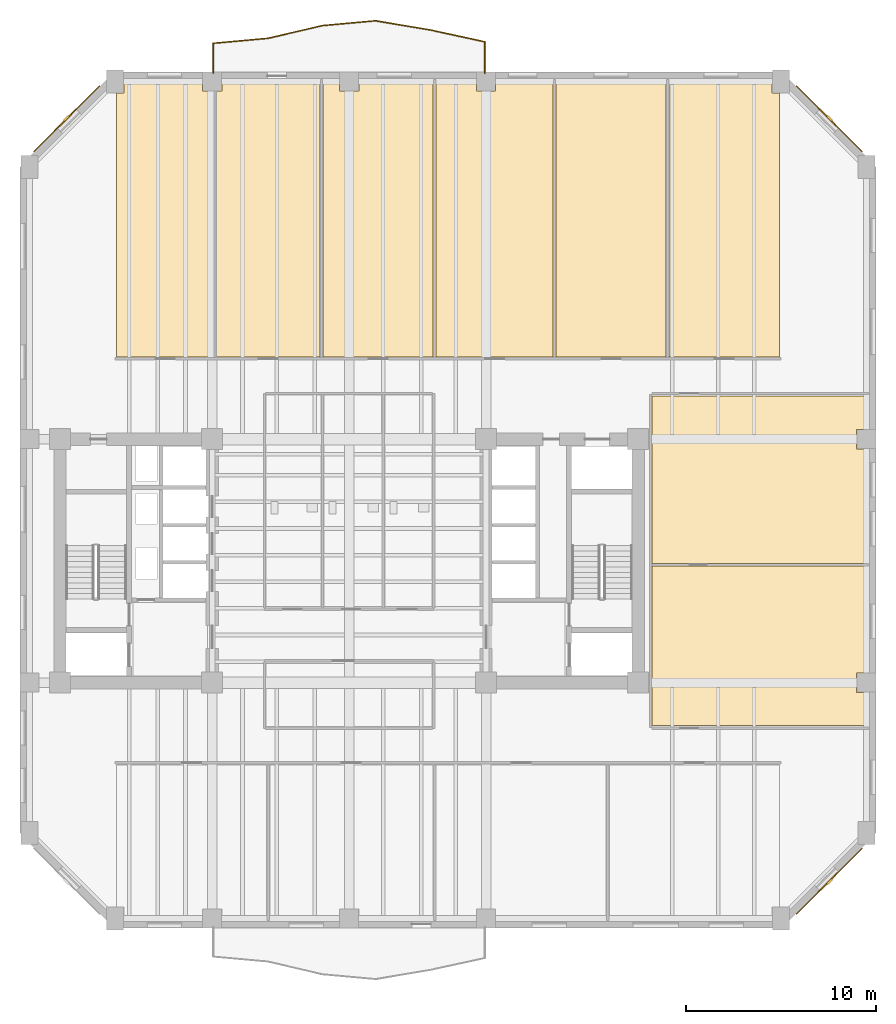
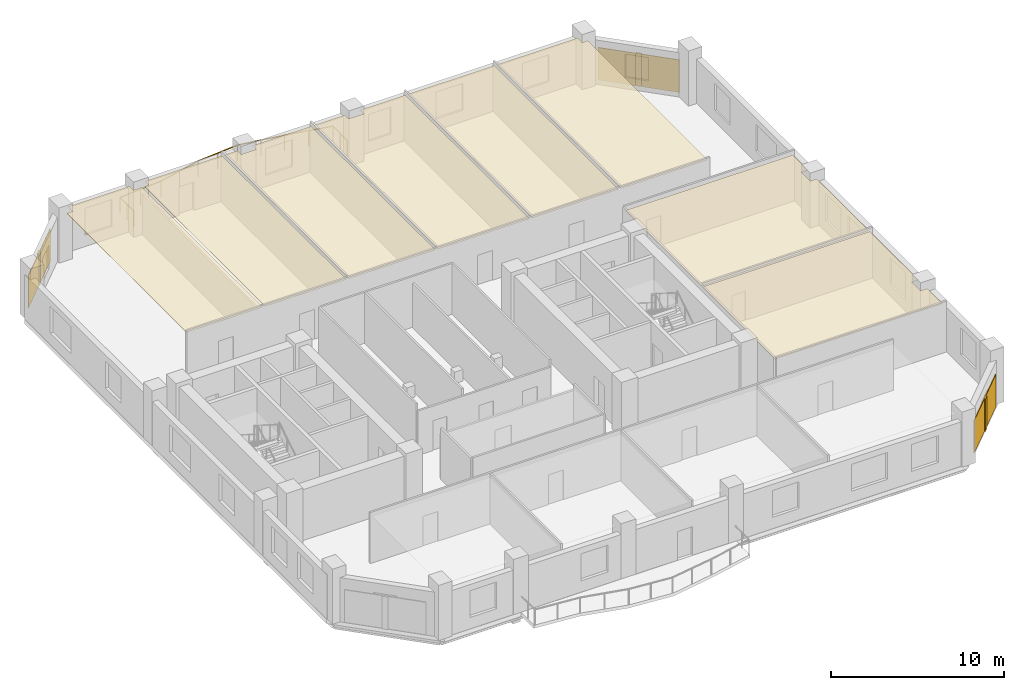
# One storey, part 8 of 9: 11 coverings, 3 shading devices, 1 railing.
"""IFC4 building model written with IfcOpenShell, lengths in metres."""

import ifcopenshell
import ifcopenshell.guid

model = None  # the IFC model being written
_history = None  # IfcOwnerHistory: only IFC2X3 demands one
_inside = {}  # id of a spatial element -> (the spatial element, [elements in it])
_under = {}  # id of a project, library or spatial element -> (it, [spatial elements below it])
_declared = {}  # id of a project -> (the project, [libraries it declares])
_typed = {}  # id of a type object -> (the type object, [elements of that type])
_made_of = {}  # id of a material, layer set ... -> (it, [elements and type objects made of it])


def new_model(schema):
    """Start an empty IFC model of exactly this schema.

    Asked for "IFC4X3", IfcOpenShell would pick the latest addendum, in which some entities
    have other attributes; the version numbers below select the first issue.
    IFC2X3 requires an IfcOwnerHistory on every rooted entity: one is made here for all.
    """
    global model, _history
    if schema == "IFC4X3":
        model = ifcopenshell.file(schema_version=(4, 3, 0, 0))
    else:
        model = ifcopenshell.file(schema=schema)
    _inside.clear()
    _under.clear()
    _declared.clear()
    _typed.clear()
    _made_of.clear()
    _history = None
    if model.schema == "IFC2X3":
        org = make("IfcOrganization", Name="unknown")
        user = make(
            "IfcPersonAndOrganization",
            ThePerson=make("IfcPerson", FamilyName="unknown"),
            TheOrganization=org,
        )
        app = make(
            "IfcApplication",
            ApplicationDeveloper=org,
            Version="unknown",
            ApplicationFullName="unknown",
            ApplicationIdentifier="unknown",
        )
        _history = make(
            "IfcOwnerHistory",
            OwningUser=user,
            OwningApplication=app,
            ChangeAction="ADDED",
            CreationDate=0,
        )
    return model


def make(cls, **values):
    """One entity of the class cls with the attributes given. An attribute that is None is left unset."""
    return model.create_entity(
        cls, **{name: value for name, value in values.items() if value is not None}
    )


def rooted(cls, **values):
    """An entity with a GlobalId (a new one), such as an element, a storey or a relation."""
    return make(cls, GlobalId=ifcopenshell.guid.new(), OwnerHistory=_history, **values)


def si_unit(unit_type, name, prefix=None):
    """IfcSIUnit, for example si_unit("LENGTHUNIT", "METRE", prefix="MILLI")."""
    return make("IfcSIUnit", UnitType=unit_type, Prefix=prefix, Name=name)


def assignment(units):
    """IfcUnitAssignment: the units of a project."""
    return None if units is None else make("IfcUnitAssignment", Units=units)


def point(xyz):
    """IfcCartesianPoint."""
    return None if xyz is None else make("IfcCartesianPoint", Coordinates=xyz)


def direction(xyz):
    """IfcDirection."""
    return None if xyz is None else make("IfcDirection", DirectionRatios=xyz)


def frame(location, z_axis=None, x_axis=None):
    """IfcAxis2Placement3D, a coordinate frame: its origin and axes. An axis left out is left unset."""
    return make(
        "IfcAxis2Placement3D",
        Location=point(location),
        Axis=direction(z_axis),
        RefDirection=direction(x_axis),
    )


def frame_2d(location, x_axis=None):
    """IfcAxis2Placement2D, a coordinate frame in the plane: its origin and x axis."""
    return make(
        "IfcAxis2Placement2D", Location=point(location), RefDirection=direction(x_axis)
    )


def origin():
    """The frame at (0, 0, 0) with its axes left unset."""
    return frame((0.0, 0.0, 0.0))


def origin_2d():
    """The frame at (0, 0) in the plane with its x axis left unset."""
    return frame_2d((0.0, 0.0))


def place(relative_to, where):
    """IfcLocalPlacement: puts the frame where relative to a parent placement (None: the world)."""
    return make(
        "IfcLocalPlacement", PlacementRelTo=relative_to, RelativePlacement=where
    )


def context(
    kind, dimensions, precision=None, world=None, true_north=None, identifier=None
):
    """IfcGeometricRepresentationContext, for example the 3D "Model" context."""
    return make(
        "IfcGeometricRepresentationContext",
        ContextIdentifier=identifier,
        ContextType=kind,
        CoordinateSpaceDimension=dimensions,
        Precision=precision,
        WorldCoordinateSystem=world,
        TrueNorth=true_north,
    )


def subcontext(parent, identifier, kind, view, scale=None):
    """IfcGeometricRepresentationSubContext, for example "Body" below "Model"."""
    return make(
        "IfcGeometricRepresentationSubContext",
        ContextIdentifier=identifier,
        ContextType=kind,
        ParentContext=parent,
        TargetScale=scale,
        TargetView=view,
    )


def project(units=None, contexts=None):
    """IfcProject with its units and contexts."""
    return rooted(
        "IfcProject",
        Name="project",
        RepresentationContexts=contexts,
        UnitsInContext=assignment(units),
    )


def spatial(cls, under=None, at=None, **own):
    """A site, building, storey or space (cls), placed at a placement, below another one or the project."""
    s = rooted(cls, ObjectPlacement=at, **own)
    if under is not None:
        _under.setdefault(under.id(), (under, []))[1].append(s)
    return s


def polyline(points):
    """IfcPolyline through the points."""
    return make("IfcPolyline", Points=[point(p) for p in points])


def profile(cls, at=None, kind="AREA", **sizes):
    """A parametric profile (cls). Its sizes go by their IFC names, for example OverallWidth=200.0."""
    return make(cls, ProfileType=kind, Position=at, **sizes)


def rectangle(**sizes):
    """IfcRectangleProfileDef."""
    return profile("IfcRectangleProfileDef", **sizes)


def circle(**sizes):
    """IfcCircleProfileDef."""
    return profile("IfcCircleProfileDef", **sizes)


def outline(outer, holes=None, kind="AREA"):
    """IfcArbitraryClosedProfileDef: a profile drawn as a closed curve; with holes, ...WithVoids."""
    if holes is None:
        return make("IfcArbitraryClosedProfileDef", ProfileType=kind, OuterCurve=outer)
    return make(
        "IfcArbitraryProfileDefWithVoids",
        ProfileType=kind,
        OuterCurve=outer,
        InnerCurves=holes,
    )


def extrude(swept, where, along, depth):
    """IfcExtrudedAreaSolid: the profile swept, set in the frame where, extruded along a direction by depth."""
    return make(
        "IfcExtrudedAreaSolid",
        SweptArea=swept,
        Position=where,
        ExtrudedDirection=direction(along),
        Depth=depth,
    )


def shape(context_of_items, identifier, shape_type, items):
    """IfcShapeRepresentation: the items that make up one representation, for example the "Body"."""
    return make(
        "IfcShapeRepresentation",
        ContextOfItems=context_of_items,
        RepresentationIdentifier=identifier,
        RepresentationType=shape_type,
        Items=items,
    )


def material(Name=None, Category=None):
    """IfcMaterial."""
    return make("IfcMaterial", Name=Name, Category=Category)


def layer(
    of_material, thickness, ventilated=None, Name=None, Category=None, Priority=None
):
    """IfcMaterialLayer: one layer of a wall or slab, of a material (None: an air gap)."""
    return make(
        "IfcMaterialLayer",
        Material=of_material,
        LayerThickness=thickness,
        IsVentilated=ventilated,
        Name=Name,
        Category=Category,
        Priority=Priority,
    )


def layer_set(layers, Name=None):
    """IfcMaterialLayerSet."""
    return make("IfcMaterialLayerSet", MaterialLayers=layers, LayerSetName=Name)


def made_of(thing, what):
    """Note that an element or type object is made of a material, layer set ...; save() writes the relation."""
    if what is not None:
        _made_of.setdefault(what.id(), (what, []))[1].append(thing)
    return thing


def type_object(cls, material=None, **own):
    """A type object (cls), such as IfcWallType, which elements share."""
    return made_of(rooted(cls, **own), material)


def element(
    cls,
    number,
    at=None,
    inside=None,
    cuts=None,
    type_object=None,
    material=None,
    context=None,
    identifier="Body",
    shape_type=None,
    held_by="IfcProductDefinitionShape",
    body=None,
    shapes=None,
    **own,
):
    """One element of the class cls, such as IfcWall. Its Tag is "e" and its number.

    at: its placement. inside: the storey or other place that contains it. cuts: it is an
    opening in that element (IfcRelVoidsElement). A single representation is given by context,
    identifier, shape_type and body (its items); several are given by shapes. held_by: the class
    of the entity that holds the representations. save() writes the other relations.
    """
    e = rooted(cls, Tag="e%d" % number, ObjectPlacement=at, **own)
    if body is not None:
        shapes = [shape(context, identifier, shape_type, body)]
    if shapes is not None:
        e.Representation = make(held_by, Representations=shapes)
    if inside is not None:
        _inside.setdefault(inside.id(), (inside, []))[1].append(e)
    if cuts is not None:
        rooted(
            "IfcRelVoidsElement", RelatingBuildingElement=cuts, RelatedOpeningElement=e
        )
    if type_object is not None:
        _typed.setdefault(type_object.id(), (type_object, []))[1].append(e)
    return made_of(e, material)


def aggregate(whole, parts):
    """IfcRelAggregates: a whole, such as a stair, and the parts it consists of."""
    return rooted("IfcRelAggregates", RelatingObject=whole, RelatedObjects=parts)


def save(model, path):
    """Write the relations noted so far, then the file.

    IfcRelAggregates (storeys below a building ...), IfcRelContainedInSpatialStructure (elements
    in a storey), IfcRelDefinesByType, IfcRelAssociatesMaterial and IfcRelDeclares: one each for
    every whole, place, type object, material and project.
    """
    for whole, parts in _under.values():
        aggregate(whole, parts)
    for where, things in _inside.values():
        rooted(
            "IfcRelContainedInSpatialStructure",
            RelatedElements=things,
            RelatingStructure=where,
        )
    for kind, things in _typed.values():
        rooted("IfcRelDefinesByType", RelatedObjects=things, RelatingType=kind)
    for what, things in _made_of.values():
        rooted("IfcRelAssociatesMaterial", RelatedObjects=things, RelatingMaterial=what)
    for by, libraries in _declared.values():
        rooted("IfcRelDeclares", RelatingContext=by, RelatedDefinitions=libraries)
    model.write(path)


model = new_model("IFC4")

# Units and contexts
model_context = context("Model", 3, precision=1e-05, world=origin(), true_north=direction((0.0, 1.0)))
body_context = subcontext(model_context, "Body", "Model", "MODEL_VIEW")
ifc_project = project(units=[si_unit("LENGTHUNIT", "METRE"), si_unit("AREAUNIT", "SQUARE_METRE"), si_unit("VOLUMEUNIT", "CUBIC_METRE"), si_unit("PLANEANGLEUNIT", "RADIAN"), si_unit("MASSUNIT", "GRAM", prefix="KILO")], contexts=[model_context])

# Site, building, storey
site_placement = place(None, origin())
site = spatial("IfcSite", under=ifc_project, at=site_placement, CompositionType="ELEMENT")
building_placement = place(site_placement, origin())
building = spatial("IfcBuilding", under=site, at=building_placement, Name="Kranthara Brick Stack", CompositionType="ELEMENT")
storey_placement = place(building_placement, frame((0.0, 0.0, 86.699951171875)))
storey = spatial("IfcBuildingStorey", under=building, at=storey_placement, Name="L21", CompositionType="ELEMENT", Elevation=86.699951171875)

# Coverings
ifc_material_1 = material(Name="Perforated mineral-fibre acoustic ceiling tile", Category="other")
ifc_layer_1 = layer(ifc_material_1, 0.02490234375)
ifc_layer_set_1 = layer_set([ifc_layer_1], Name="Perforated mineral-fibre acoustic ceiling tile")
covering_type_1 = type_object("IfcCoveringType", Name="COV-CEIL-ACOUSTIC", PredefinedType="CEILING", material=ifc_layer_set_1)
covering_1_placement = place(storey_placement, frame((0.0, 0.0, 3.330078125)))
element("IfcCovering", 1, at=covering_1_placement, inside=storey, type_object=covering_type_1, Name="L21 L21 Executive Cellular Office 1 Acoustic Ceiling", PredefinedType="CEILING", context=body_context, shape_type="SweptSolid", body=[
    extrude(outline(polyline([(20.8701171875, 37.919921875), (15.780029296875, 37.919921875), (15.780029296875, 51.7900390625), (16.159912109375, 51.7900390625), (16.159912109375, 52.330078125), (20.2900390625, 52.330078125), (20.2900390625, 51.889892578125), (20.8701171875, 51.889892578125), (20.8701171875, 37.919921875)])), origin(), (0.0, 0.0, 1.0), 0.02490234375),
])
covering_2_placement = place(storey_placement, frame((0.0, 0.0, 3.330078125)))
element("IfcCovering", 2, at=covering_2_placement, inside=storey, type_object=covering_type_1, Name="L21 L21 Executive Cellular Office 2 Acoustic Ceiling", PredefinedType="CEILING", context=body_context, shape_type="SweptSolid", body=[
    extrude(outline(polyline([(26.469970703125, 52.330078125), (26.469970703125, 37.919921875), (21.030029296875, 37.919921875), (21.030029296875, 51.889892578125), (21.31005859375, 51.889892578125), (21.31005859375, 52.330078125), (26.469970703125, 52.330078125)])), origin(), (0.0, 0.0, 1.0), 0.02490234375),
])
covering_3_placement = place(storey_placement, frame((0.0, 0.0, 3.330078125)))
element("IfcCovering", 3, at=covering_3_placement, inside=storey, type_object=covering_type_1, Name="L21 L21 Executive Cellular Office 3 Acoustic Ceiling", PredefinedType="CEILING", context=body_context, shape_type="SweptSolid", body=[
    extrude(outline(polyline([(32.419921875, 52.330078125), (32.419921875, 37.919921875), (26.6298828125, 37.919921875), (26.6298828125, 52.330078125), (27.489990234375, 52.330078125), (27.489990234375, 51.889892578125), (28.510009765625, 51.889892578125), (28.510009765625, 52.330078125), (32.419921875, 52.330078125)])), origin(), (0.0, 0.0, 1.0), 0.02490234375),
])
covering_4_placement = place(storey_placement, frame((0.0, 0.0, 3.330078125)))
element("IfcCovering", 4, at=covering_4_placement, inside=storey, type_object=covering_type_1, Name="L21 L21 Executive Cellular Office 4 Acoustic Ceiling", PredefinedType="CEILING", context=body_context, shape_type="SweptSolid", body=[
    extrude(outline(polyline([(38.719970703125, 52.330078125), (38.719970703125, 37.919921875), (32.580078125, 37.919921875), (32.580078125, 52.330078125), (34.68994140625, 52.330078125), (34.68994140625, 51.889892578125), (35.7099609375, 51.889892578125), (35.7099609375, 52.330078125), (38.719970703125, 52.330078125)])), origin(), (0.0, 0.0, 1.0), 0.02490234375),
])
covering_5_placement = place(storey_placement, frame((0.0, 0.0, 3.330078125)))
element("IfcCovering", 5, at=covering_5_placement, inside=storey, type_object=covering_type_1, Name="L21 L21 Focus Study Room 5 Acoustic Ceiling", PredefinedType="CEILING", context=body_context, shape_type="SweptSolid", body=[
    extrude(outline(polyline([(44.669921875, 37.919921875), (44.669921875, 52.330078125), (38.8798828125, 52.330078125), (38.8798828125, 37.919921875), (44.669921875, 37.919921875)])), origin(), (0.0, 0.0, 1.0), 0.02490234375),
])
covering_6_placement = place(storey_placement, frame((0.0, 0.0, 3.330078125)))
element("IfcCovering", 6, at=covering_6_placement, inside=storey, type_object=covering_type_1, Name="L21 L21 Staff Pantry 6 Acoustic Ceiling", PredefinedType="CEILING", context=body_context, shape_type="SweptSolid", body=[
    extrude(outline(polyline([(50.6201171875, 37.919921875), (44.830078125, 37.919921875), (44.830078125, 52.330078125), (50.239990234375, 52.330078125), (50.239990234375, 51.7900390625), (50.6201171875, 51.7900390625), (50.6201171875, 37.919921875)])), origin(), (0.0, 0.0, 1.0), 0.02490234375),
])
covering_7_placement = place(storey_placement, frame((0.0, 0.0, 3.330078125)))
element("IfcCovering", 7, at=covering_7_placement, inside=storey, type_object=covering_type_1, Name="L21 L21 East Client Office 1 Acoustic Ceiling", PredefinedType="CEILING", context=body_context, shape_type="SweptSolid", body=[
    extrude(outline(polyline([(55.1298828125, 18.5400390625), (43.919921875, 18.5400390625), (43.919921875, 26.93994140625), (55.1298828125, 26.93994140625), (55.1298828125, 21.31005859375), (54.68994140625, 21.31005859375), (54.68994140625, 20.2900390625), (55.1298828125, 20.2900390625), (55.1298828125, 18.5400390625)])), origin(), (0.0, 0.0, 1.0), 0.02490234375),
])
covering_8_placement = place(storey_placement, frame((0.0, 0.0, 3.330078125)))
element("IfcCovering", 8, at=covering_8_placement, inside=storey, type_object=covering_type_1, Name="L21 L21 East Client Office 2 Acoustic Ceiling", PredefinedType="CEILING", context=body_context, shape_type="SweptSolid", body=[
    extrude(outline(polyline([(55.1298828125, 27.06005859375), (43.919921875, 27.06005859375), (43.919921875, 35.860107421875), (55.1298828125, 35.860107421875), (55.1298828125, 34.110107421875), (54.68994140625, 34.110107421875), (54.68994140625, 33.090087890625), (55.1298828125, 33.090087890625), (55.1298828125, 27.06005859375)])), origin(), (0.0, 0.0, 1.0), 0.02490234375),
])
ifc_material_2 = material(Name="Warm buff kiln-fired brick slip rainscreen", Category="masonry")
ifc_layer_2 = layer(ifc_material_2, 0.044921875)
ifc_layer_set_2 = layer_set([ifc_layer_2], Name="Warm buff kiln-fired brick slip rainscreen")
covering_type_2 = type_object("IfcCoveringType", Name="COV-CLAD-BRICK", PredefinedType="CLADDING", material=ifc_layer_set_2)
for number, where, z_axis, x_axis, name in (
    (9, (13.156494140625, 50.443603515625, 0.0498046875), (0.0, 0.0, 1.0), (0.707106781187, 0.707106781187, 0.0), "L21 Chamfer Brick Rainscreen Cladding NW"),
    (10, (53.243408203125, 50.443603515625, 0.0498046875), (0.0, 0.0, 1.0), (0.707106781187, -0.707106781187, 0.0), "L21 Chamfer Brick Rainscreen Cladding NE"),
    (11, (53.243408203125, 10.3564453125, 0.0498046875), (0.0, 0.0, 1.0), (-0.707106781187, -0.707106781187, 0.0), "L21 Chamfer Brick Rainscreen Cladding SE"),
):
    element("IfcCovering", number, at=place(storey_placement, frame(where, z_axis=z_axis, x_axis=x_axis)), inside=storey, type_object=covering_type_2, Name=name, PredefinedType="CLADDING", context=body_context, shape_type="SweptSolid", body=[
        extrude(rectangle(XDim=4.876953125, YDim=0.044921875, at=origin_2d()), origin(), (0.0, 0.0, 1.0), 2.300048828125),
    ])

# Railing
ifc_material_3 = material(Name="Bronze anodised aluminium and laminated glass balustrade", Category="aluminium")
railing_type = type_object("IfcRailingType", Name="RL-BALC-1120", PredefinedType="BALUSTRADE", material=ifc_material_3)
railing_placement = place(storey_placement, frame((20.860107421875, 52.840087890625, 0.0)))
element("IfcRailing", 12, at=railing_placement, inside=storey, type_object=railing_type, Name="L21 North Rippling Balcony Balustrade", PredefinedType="BALUSTRADE", context=body_context, shape_type="SweptSolid", body=[
    extrude(circle(Radius=0.02392578125, at=origin_2d()), frame((0.0, 0.0, 1.09619140625), z_axis=(0.0, 1.0, 0.0), x_axis=(-1.0, 0.0, 0.0)), (0.0, 0.0, 1.0), 1.57373046875),
    extrude(circle(Radius=0.02392578125, at=origin_2d()), frame((0.0, 1.57373046875, 1.09619140625), z_axis=(0.995941507598, 0.090002852416, 0.0), x_axis=(-0.090002852416, 0.995941507598, 0.0)), (0.0, 0.0, 1.0), 2.8916015625),
    extrude(circle(Radius=0.02392578125, at=origin_2d()), frame((2.8798828125, 1.833984375, 1.09619140625), z_axis=(0.973718277078, 0.227755827334, 0.0), x_axis=(-0.227755827334, 0.973718277078, 0.0)), (0.0, 0.0, 1.0), 2.94775390625),
    extrude(circle(Radius=0.02392578125, at=origin_2d()), frame((5.750244140625, 2.50537109375, 1.09619140625), z_axis=(0.995951712076, 0.089889861567, 0.0), x_axis=(-0.089889861567, 0.995951712076, 0.0)), (0.0, 0.0, 1.0), 2.794677734375),
    extrude(circle(Radius=0.02392578125, at=origin_2d()), frame((8.53369140625, 2.756591796875, 1.09619140625), z_axis=(0.986177451006, -0.165692592254, 0.0), x_axis=(0.165692592254, 0.986177451006, 0.0)), (0.0, 0.0, 1.0), 2.9072265625),
    extrude(circle(Radius=0.02392578125, at=origin_2d()), frame((11.400634765625, 2.27490234375, 1.09619140625), z_axis=(0.977136712985, -0.212611956713, 0.0), x_axis=(0.212611956713, 0.977136712985, 0.0)), (0.0, 0.0, 1.0), 2.946533203125),
    extrude(circle(Radius=0.02392578125, at=origin_2d()), frame((14.27978515625, 1.6484375, 1.09619140625), z_axis=(0.0, -1.0, 0.0), x_axis=(1.0, 0.0, 0.0)), (0.0, 0.0, 1.0), 1.6484375),
    extrude(circle(Radius=0.02099609375, at=origin_2d()), origin(), (0.0, 0.0, 1.0), 1.072021484375),
    extrude(circle(Radius=0.02099609375, at=origin_2d()), frame((0.0, 0.786865234375, 0.0)), (0.0, 0.0, 1.0), 1.072021484375),
    extrude(circle(Radius=0.02099609375, at=origin_2d()), frame((0.0, 1.57373046875, 0.0)), (0.0, 0.0, 1.0), 1.072021484375),
    extrude(circle(Radius=0.02099609375, at=origin_2d()), frame((1.43994140625, 1.703857421875, 0.0)), (0.0, 0.0, 1.0), 1.072021484375),
    extrude(circle(Radius=0.02099609375, at=origin_2d()), frame((2.8798828125, 1.833984375, 0.0)), (0.0, 0.0, 1.0), 1.072021484375),
    extrude(circle(Radius=0.02099609375, at=origin_2d()), frame((4.31494140625, 2.169677734375, 0.0)), (0.0, 0.0, 1.0), 1.072021484375),
    extrude(circle(Radius=0.02099609375, at=origin_2d()), frame((5.750244140625, 2.50537109375, 0.0)), (0.0, 0.0, 1.0), 1.072021484375),
    extrude(circle(Radius=0.02099609375, at=origin_2d()), frame((7.14208984375, 2.630859375, 0.0)), (0.0, 0.0, 1.0), 1.072021484375),
    extrude(circle(Radius=0.02099609375, at=origin_2d()), frame((8.53369140625, 2.756591796875, 0.0)), (0.0, 0.0, 1.0), 1.072021484375),
    extrude(circle(Radius=0.02099609375, at=origin_2d()), frame((9.96728515625, 2.515625, 0.0)), (0.0, 0.0, 1.0), 1.072021484375),
    extrude(circle(Radius=0.02099609375, at=origin_2d()), frame((11.400634765625, 2.27490234375, 0.0)), (0.0, 0.0, 1.0), 1.072021484375),
    extrude(circle(Radius=0.02099609375, at=origin_2d()), frame((12.84033203125, 1.961669921875, 0.0)), (0.0, 0.0, 1.0), 1.072021484375),
    extrude(circle(Radius=0.02099609375, at=origin_2d()), frame((14.27978515625, 1.6484375, 0.0)), (0.0, 0.0, 1.0), 1.072021484375),
    extrude(circle(Radius=0.02099609375, at=origin_2d()), frame((14.27978515625, 0.82421875, 0.0)), (0.0, 0.0, 1.0), 1.072021484375),
    extrude(circle(Radius=0.02099609375, at=origin_2d()), frame((14.27978515625, 0.0, 0.0)), (0.0, 0.0, 1.0), 1.072021484375),
])

# Shading devices
ifc_material_4 = material(Name="Kiln-fired terracotta aerodynamic wind fin", Category="masonry")
shading_device_type = type_object("IfcShadingDeviceType", Name="SHD-BAFFLE-CORNER", PredefinedType="SHUTTER", material=ifc_material_4)
for number, where, z_axis, x_axis, name in (
    (13, (13.13525390625, 50.464599609375, 0.0498046875), (0.0, 0.0, 1.0), (0.707106781187, 0.707106781187, 0.0), "L21 Chamfer Wind-Baffle Fin NW"),
    (14, (53.2646484375, 50.464599609375, 0.0498046875), (0.0, 0.0, 1.0), (0.707106781187, -0.707106781187, 0.0), "L21 Chamfer Wind-Baffle Fin NE"),
    (15, (53.2646484375, 10.335205078125, 0.0498046875), (0.0, 0.0, 1.0), (-0.707106781187, -0.707106781187, 0.0), "L21 Chamfer Wind-Baffle Fin SE"),
):
    element("IfcShadingDevice", number, at=place(storey_placement, frame(where, z_axis=z_axis, x_axis=x_axis)), inside=storey, type_object=shading_device_type, Name=name, PredefinedType="SHUTTER", context=body_context, shape_type="SweptSolid", body=[
        extrude(rectangle(XDim=0.35009765625, YDim=0.1201171875, at=origin_2d()), origin(), (0.0, 0.0, 1.0), 2.300048828125),
    ])

save(model, "model.ifc")
